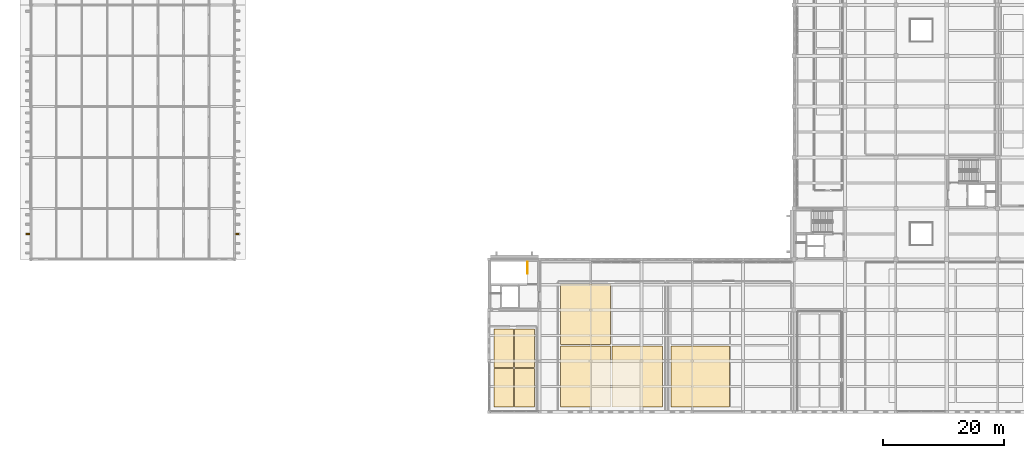
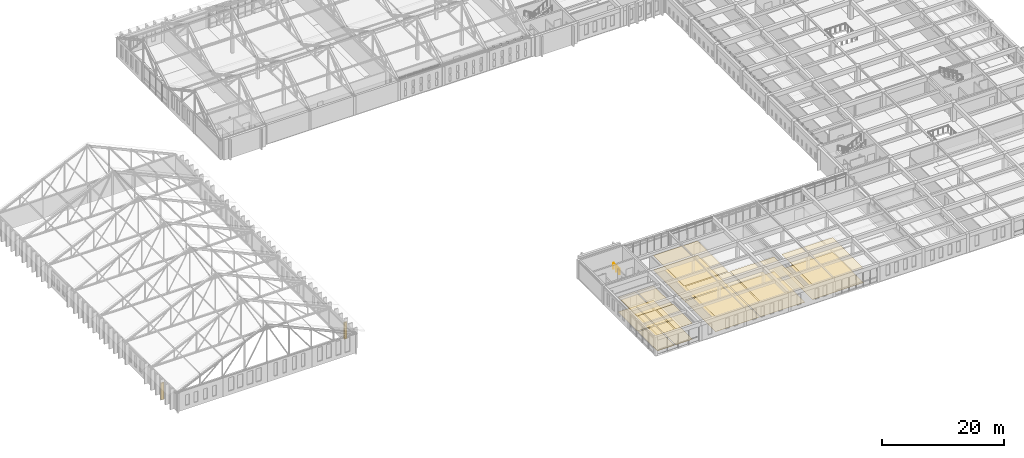
# One storey, part 102 of 110: 16 coverings, 2 shading devices, 1 railing.
"""IFC4 building model written with IfcOpenShell, lengths in metres."""

from ifc_helpers import new_model, si_unit, direction, frame, origin, origin_2d, place, context, subcontext, project, spatial, rectangle, circle, extrude, material, layer, layer_set, type_object, element, save


model = new_model("IFC4")

# Units and contexts
model_context = context("Model", 3, precision=1e-05, world=origin(), true_north=direction((0.0, 1.0)))
body_context = subcontext(model_context, "Body", "Model", "MODEL_VIEW")
ifc_project = project(units=[si_unit("LENGTHUNIT", "METRE"), si_unit("AREAUNIT", "SQUARE_METRE"), si_unit("VOLUMEUNIT", "CUBIC_METRE"), si_unit("PLANEANGLEUNIT", "RADIAN"), si_unit("MASSUNIT", "GRAM", prefix="KILO")], contexts=[model_context])

# Site, building, storey
site_placement = place(None, origin())
site = spatial("IfcSite", under=ifc_project, at=site_placement, CompositionType="ELEMENT")
building_placement = place(site_placement, origin())
building = spatial("IfcBuilding", under=site, at=building_placement, Name="Kveldsbrygga Polytechnic", CompositionType="ELEMENT")
storey_placement = place(building_placement, frame((0.0, 0.0, 9.860107421875)))
storey = spatial("IfcBuildingStorey", under=building, at=storey_placement, Name="L02", CompositionType="ELEMENT", Elevation=9.860107421875)

# Coverings
ifc_material_1 = material(Name="Acoustic mineral baffle ceiling")
ifc_layer_1 = layer(ifc_material_1, 0.030029296875)
ifc_layer_set_1 = layer_set([ifc_layer_1], Name="Acoustic mineral baffle ceiling")
covering_type_1 = type_object("IfcCoveringType", Name="COV-CEIL-AC30", PredefinedType="CEILING", material=ifc_layer_set_1)
for number, where, z_axis, x_axis, name in (
    (1, (78.0625, 4.012451171875, 3.169921875), (0.0, 0.0, 1.0), (1.0, 0.0, 0.0), "Acoustic Ceiling SP-L02-SOCW-WS"),
    (2, (78.0625, 10.53759765625, 2.9296875), (0.0, 0.0, 1.0), (1.0, 0.0, 0.0), "Acoustic Ceiling SP-L02-SOCW-WN"),
    (3, (81.487548828125, 4.012451171875, 3.169921875), (0.0, 0.0, 1.0), (1.0, 0.0, 0.0), "Acoustic Ceiling SP-L02-SOCW-ES"),
    (4, (81.487548828125, 10.53759765625, 2.9296875), (0.0, 0.0, 1.0), (1.0, 0.0, 0.0), "Acoustic Ceiling SP-L02-SOCW-EN"),
):
    element("IfcCovering", number, at=place(storey_placement, frame(where, z_axis=z_axis, x_axis=x_axis)), inside=storey, type_object=covering_type_1, Name=name, PredefinedType="CEILING", context=body_context, shape_type="SweptSolid", body=[
        extrude(rectangle(XDim=3.22509765625, YDim=6.324951171875, at=origin_2d()), origin(), (0.0, 0.0, 1.0), 0.030029296875),
    ])
for number, where, z_axis, x_axis, name in (
    (5, (91.5625, 5.875, 2.9296875), (0.0, 0.0, 1.0), (1.0, 0.0, 0.0), "Acoustic Ceiling SP-L02-SOC-WS"),
    (6, (91.5625, 16.125, 2.8896484375), (0.0, 0.0, 1.0), (1.0, 0.0, 0.0), "Acoustic Ceiling SP-L02-SOC-WN"),
    (7, (100.08740234375, 5.875, 2.9296875), (0.0, 0.0, 1.0), (1.0, 0.0, 0.0), "Acoustic Ceiling SP-L02-SOC-ES"),
):
    element("IfcCovering", number, at=place(storey_placement, frame(where, z_axis=z_axis, x_axis=x_axis)), inside=storey, type_object=covering_type_1, Name=name, PredefinedType="CEILING", context=body_context, shape_type="SweptSolid", body=[
        extrude(rectangle(XDim=8.324951171875, YDim=10.050048828125, at=origin_2d()), origin(), (0.0, 0.0, 1.0), 0.030029296875),
    ])
ifc_material_2 = material(Name="Acoustic oak timber slat ceiling", Category="wood")
ifc_layer_2 = layer(ifc_material_2, 0.0400390625)
ifc_layer_set_2 = layer_set([ifc_layer_2], Name="Acoustic oak timber slat ceiling")
covering_type_2 = type_object("IfcCoveringType", Name="COV-CEIL-WD40", PredefinedType="CEILING", material=ifc_layer_set_2)
covering_1_placement = place(storey_placement, frame((110.5, 5.875, 2.919921875), z_axis=(0.0, 0.0, 1.0), x_axis=(1.0, 0.0, 0.0)))
element("IfcCovering", 8, at=covering_1_placement, inside=storey, type_object=covering_type_2, Name="Acoustic Ceiling SP-L02-SREF-WS", PredefinedType="CEILING", context=body_context, shape_type="SweptSolid", body=[
    extrude(rectangle(XDim=9.60009765625, YDim=10.050048828125, at=origin_2d()), origin(), (0.0, 0.0, 1.0), 0.0400390625),
])
ifc_material_3 = material(Name="Acoustic oak timber flooring", Category="wood")
ifc_layer_3 = layer(ifc_material_3, 0.02197265625)
ifc_layer_set_3 = layer_set([ifc_layer_3], Name="Acoustic oak timber flooring")
covering_type_3 = type_object("IfcCoveringType", Name="COV-FLR-OAK22", PredefinedType="FLOORING", material=ifc_layer_set_3)
for number, where, z_axis, x_axis, name in (
    (9, (78.0625, 4.012451171875, 0.0), (0.0, 0.0, 1.0), (1.0, 0.0, 0.0), "Room Flooring SP-L02-SOCW-WS"),
    (10, (78.0625, 10.53759765625, 0.0), (0.0, 0.0, 1.0), (1.0, 0.0, 0.0), "Room Flooring SP-L02-SOCW-WN"),
    (11, (81.487548828125, 4.012451171875, 0.0), (0.0, 0.0, 1.0), (1.0, 0.0, 0.0), "Room Flooring SP-L02-SOCW-ES"),
    (12, (81.487548828125, 10.53759765625, 0.0), (0.0, 0.0, 1.0), (1.0, 0.0, 0.0), "Room Flooring SP-L02-SOCW-EN"),
):
    element("IfcCovering", number, at=place(storey_placement, frame(where, z_axis=z_axis, x_axis=x_axis)), inside=storey, type_object=covering_type_3, Name=name, PredefinedType="FLOORING", context=body_context, shape_type="SweptSolid", body=[
        extrude(rectangle(XDim=3.22509765625, YDim=6.324951171875, at=origin_2d()), origin(), (0.0, 0.0, 1.0), 0.02197265625),
    ])
for number, where, z_axis, x_axis, name in (
    (13, (91.5625, 5.875, 0.0), (0.0, 0.0, 1.0), (1.0, 0.0, 0.0), "Room Flooring SP-L02-SOC-WS"),
    (14, (91.5625, 16.125, 0.0), (0.0, 0.0, 1.0), (1.0, 0.0, 0.0), "Room Flooring SP-L02-SOC-WN"),
    (15, (100.08740234375, 5.875, 0.0), (0.0, 0.0, 1.0), (1.0, 0.0, 0.0), "Room Flooring SP-L02-SOC-ES"),
):
    element("IfcCovering", number, at=place(storey_placement, frame(where, z_axis=z_axis, x_axis=x_axis)), inside=storey, type_object=covering_type_3, Name=name, PredefinedType="FLOORING", context=body_context, shape_type="SweptSolid", body=[
        extrude(rectangle(XDim=8.324951171875, YDim=10.050048828125, at=origin_2d()), origin(), (0.0, 0.0, 1.0), 0.02197265625),
    ])
covering_2_placement = place(storey_placement, frame((110.5, 5.875, 0.0), z_axis=(0.0, 0.0, 1.0), x_axis=(1.0, 0.0, 0.0)))
element("IfcCovering", 16, at=covering_2_placement, inside=storey, type_object=covering_type_3, Name="Room Flooring SP-L02-SREF-WS", PredefinedType="FLOORING", context=body_context, shape_type="SweptSolid", body=[
    extrude(rectangle(XDim=9.60009765625, YDim=10.050048828125, at=origin_2d()), origin(), (0.0, 0.0, 1.0), 0.02197265625),
])

# Shading devices
ifc_material_4 = material(Name="Fired clay brick masonry M10", Category="masonry")
shading_device_type = type_object("IfcShadingDeviceType", Name="FIN-BRICK-550", PredefinedType="JALOUSIE", material=ifc_material_4)
for number, where, z_axis, x_axis, name in (
    (17, (-0.4609375, 29.39990234375, -0.000244140625), (0.0, 0.0, 1.0), (0.0, 1.0, 0.0), "Brick Shading Fin L02-Y-00-03"),
    (18, (34.06103515625, 29.39990234375, -0.000244140625), (0.0, 0.0, 1.0), (0.0, 1.0, 0.0), "Brick Shading Fin L02-Y-04-03"),
):
    element("IfcShadingDevice", number, at=place(storey_placement, frame(where, z_axis=z_axis, x_axis=x_axis)), inside=storey, type_object=shading_device_type, Name=name, PredefinedType="JALOUSIE", context=body_context, shape_type="SweptSolid", body=[
        extrude(rectangle(XDim=0.219970703125, YDim=0.550048828125, at=origin_2d()), origin(), (0.0, 0.0, 1.0), 3.330078125),
    ])

# Railing
ifc_material_5 = material(Name="Steel S355", Category="steel")
railing_type = type_object("IfcRailingType", Name="RL-STAIR-GRD", PredefinedType="GUARDRAIL", material=ifc_material_5)
railing_placement = place(storey_placement, frame((82.0, 24.800048828125, 0.0)))
element("IfcRailing", 19, at=railing_placement, inside=storey, type_object=railing_type, Name="L02 ST-6 top well guard 1", PredefinedType="GUARDRAIL", context=body_context, shape_type="SweptSolid", body=[
    extrude(circle(Radius=0.02392578125, at=origin_2d()), frame((0.0, 0.0, 1.1259765625), z_axis=(0.0, -1.0, 0.0), x_axis=(1.0, 0.0, 0.0)), (0.0, 0.0, 1.0), 1.949951171875),
    extrude(circle(Radius=0.02099609375, at=origin_2d()), origin(), (0.0, 0.0, 1.0), 1.097900390625),
    extrude(circle(Radius=0.02099609375, at=origin_2d()), frame((0.0, -0.97509765625, 0.0)), (0.0, 0.0, 1.0), 1.097900390625),
    extrude(circle(Radius=0.02099609375, at=origin_2d()), frame((0.0, -1.949951171875, 0.0)), (0.0, 0.0, 1.0), 1.097900390625),
])

save(model, "model.ifc")
